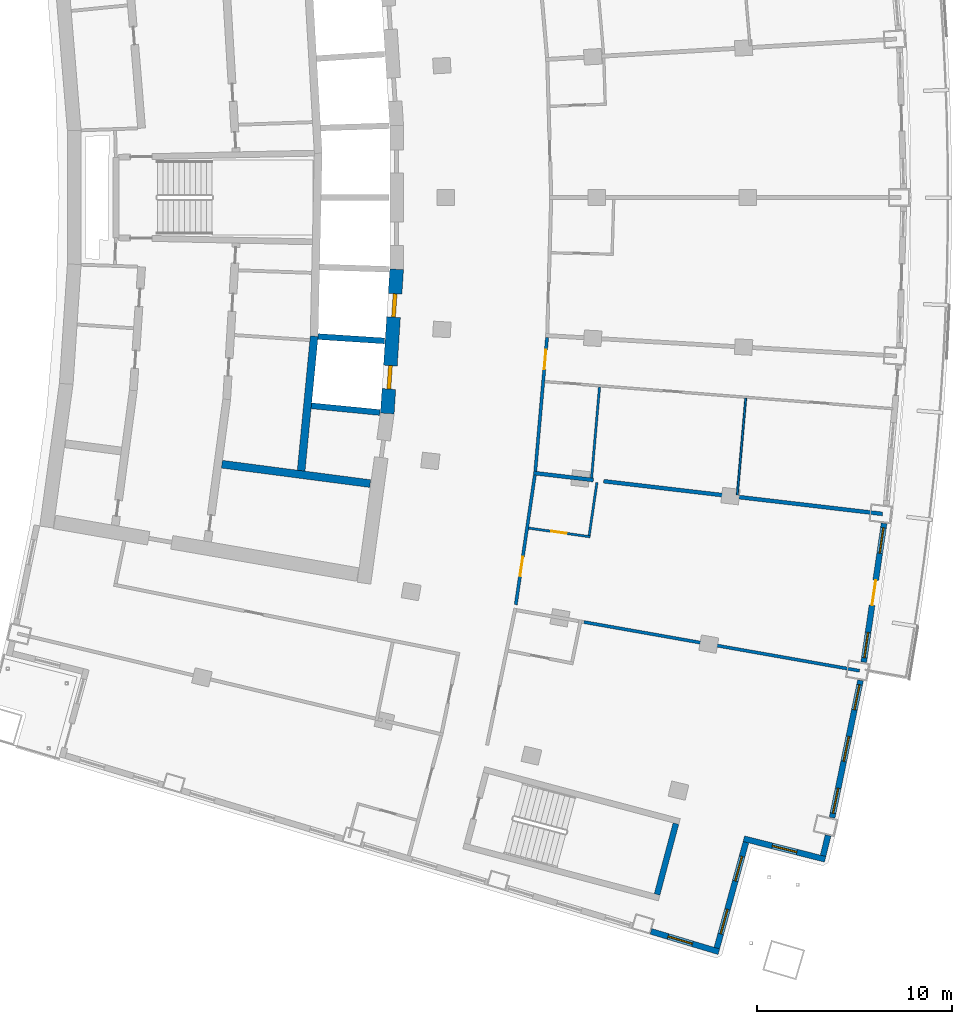
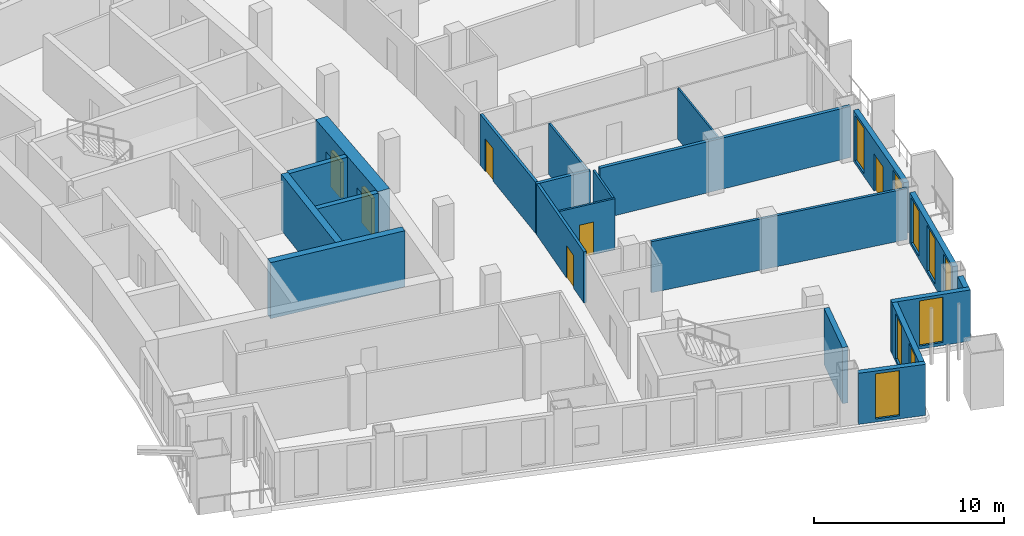
# One storey, part 11 of 19: 21 walls, 9 windows, 6 doors, 15 openings.
"""IFC4 building model written with IfcOpenShell, lengths in metres."""

import ifcopenshell
import ifcopenshell.guid

model = None  # the IFC model being written
_history = None  # IfcOwnerHistory: only IFC2X3 demands one
_inside = {}  # id of a spatial element -> (the spatial element, [elements in it])
_under = {}  # id of a project, library or spatial element -> (it, [spatial elements below it])
_declared = {}  # id of a project -> (the project, [libraries it declares])
_typed = {}  # id of a type object -> (the type object, [elements of that type])
_made_of = {}  # id of a material, layer set ... -> (it, [elements and type objects made of it])


def new_model(schema):
    """Start an empty IFC model of exactly this schema.

    Asked for "IFC4X3", IfcOpenShell would pick the latest addendum, in which some entities
    have other attributes; the version numbers below select the first issue.
    IFC2X3 requires an IfcOwnerHistory on every rooted entity: one is made here for all.
    """
    global model, _history
    if schema == "IFC4X3":
        model = ifcopenshell.file(schema_version=(4, 3, 0, 0))
    else:
        model = ifcopenshell.file(schema=schema)
    _inside.clear()
    _under.clear()
    _declared.clear()
    _typed.clear()
    _made_of.clear()
    _history = None
    if model.schema == "IFC2X3":
        org = make("IfcOrganization", Name="unknown")
        user = make(
            "IfcPersonAndOrganization",
            ThePerson=make("IfcPerson", FamilyName="unknown"),
            TheOrganization=org,
        )
        app = make(
            "IfcApplication",
            ApplicationDeveloper=org,
            Version="unknown",
            ApplicationFullName="unknown",
            ApplicationIdentifier="unknown",
        )
        _history = make(
            "IfcOwnerHistory",
            OwningUser=user,
            OwningApplication=app,
            ChangeAction="ADDED",
            CreationDate=0,
        )
    return model


def make(cls, **values):
    """One entity of the class cls with the attributes given. An attribute that is None is left unset."""
    return model.create_entity(
        cls, **{name: value for name, value in values.items() if value is not None}
    )


def rooted(cls, **values):
    """An entity with a GlobalId (a new one), such as an element, a storey or a relation."""
    return make(cls, GlobalId=ifcopenshell.guid.new(), OwnerHistory=_history, **values)


def si_unit(unit_type, name, prefix=None):
    """IfcSIUnit, for example si_unit("LENGTHUNIT", "METRE", prefix="MILLI")."""
    return make("IfcSIUnit", UnitType=unit_type, Prefix=prefix, Name=name)


def assignment(units):
    """IfcUnitAssignment: the units of a project."""
    return None if units is None else make("IfcUnitAssignment", Units=units)


def point(xyz):
    """IfcCartesianPoint."""
    return None if xyz is None else make("IfcCartesianPoint", Coordinates=xyz)


def direction(xyz):
    """IfcDirection."""
    return None if xyz is None else make("IfcDirection", DirectionRatios=xyz)


def frame(location, z_axis=None, x_axis=None):
    """IfcAxis2Placement3D, a coordinate frame: its origin and axes. An axis left out is left unset."""
    return make(
        "IfcAxis2Placement3D",
        Location=point(location),
        Axis=direction(z_axis),
        RefDirection=direction(x_axis),
    )


def frame_2d(location, x_axis=None):
    """IfcAxis2Placement2D, a coordinate frame in the plane: its origin and x axis."""
    return make(
        "IfcAxis2Placement2D", Location=point(location), RefDirection=direction(x_axis)
    )


def origin():
    """The frame at (0, 0, 0) with its axes left unset."""
    return frame((0.0, 0.0, 0.0))


def place(relative_to, where):
    """IfcLocalPlacement: puts the frame where relative to a parent placement (None: the world)."""
    return make(
        "IfcLocalPlacement", PlacementRelTo=relative_to, RelativePlacement=where
    )


def context(
    kind, dimensions, precision=None, world=None, true_north=None, identifier=None
):
    """IfcGeometricRepresentationContext, for example the 3D "Model" context."""
    return make(
        "IfcGeometricRepresentationContext",
        ContextIdentifier=identifier,
        ContextType=kind,
        CoordinateSpaceDimension=dimensions,
        Precision=precision,
        WorldCoordinateSystem=world,
        TrueNorth=true_north,
    )


def subcontext(parent, identifier, kind, view, scale=None):
    """IfcGeometricRepresentationSubContext, for example "Body" below "Model"."""
    return make(
        "IfcGeometricRepresentationSubContext",
        ContextIdentifier=identifier,
        ContextType=kind,
        ParentContext=parent,
        TargetScale=scale,
        TargetView=view,
    )


def project(units=None, contexts=None):
    """IfcProject with its units and contexts."""
    return rooted(
        "IfcProject",
        Name="project",
        RepresentationContexts=contexts,
        UnitsInContext=assignment(units),
    )


def spatial(cls, under=None, at=None, **own):
    """A site, building, storey or space (cls), placed at a placement, below another one or the project."""
    s = rooted(cls, ObjectPlacement=at, **own)
    if under is not None:
        _under.setdefault(under.id(), (under, []))[1].append(s)
    return s


def profile(cls, at=None, kind="AREA", **sizes):
    """A parametric profile (cls). Its sizes go by their IFC names, for example OverallWidth=200.0."""
    return make(cls, ProfileType=kind, Position=at, **sizes)


def rectangle(**sizes):
    """IfcRectangleProfileDef."""
    return profile("IfcRectangleProfileDef", **sizes)


def extrude(swept, where, along, depth):
    """IfcExtrudedAreaSolid: the profile swept, set in the frame where, extruded along a direction by depth."""
    return make(
        "IfcExtrudedAreaSolid",
        SweptArea=swept,
        Position=where,
        ExtrudedDirection=direction(along),
        Depth=depth,
    )


def shape(context_of_items, identifier, shape_type, items):
    """IfcShapeRepresentation: the items that make up one representation, for example the "Body"."""
    return make(
        "IfcShapeRepresentation",
        ContextOfItems=context_of_items,
        RepresentationIdentifier=identifier,
        RepresentationType=shape_type,
        Items=items,
    )


def material(Name=None, Category=None):
    """IfcMaterial."""
    return make("IfcMaterial", Name=Name, Category=Category)


def layer(
    of_material, thickness, ventilated=None, Name=None, Category=None, Priority=None
):
    """IfcMaterialLayer: one layer of a wall or slab, of a material (None: an air gap)."""
    return make(
        "IfcMaterialLayer",
        Material=of_material,
        LayerThickness=thickness,
        IsVentilated=ventilated,
        Name=Name,
        Category=Category,
        Priority=Priority,
    )


def layer_set(layers, Name=None):
    """IfcMaterialLayerSet."""
    return make("IfcMaterialLayerSet", MaterialLayers=layers, LayerSetName=Name)


def made_of(thing, what):
    """Note that an element or type object is made of a material, layer set ...; save() writes the relation."""
    if what is not None:
        _made_of.setdefault(what.id(), (what, []))[1].append(thing)
    return thing


def type_object(cls, material=None, **own):
    """A type object (cls), such as IfcWallType, which elements share."""
    return made_of(rooted(cls, **own), material)


def element(
    cls,
    number,
    at=None,
    inside=None,
    cuts=None,
    type_object=None,
    material=None,
    context=None,
    identifier="Body",
    shape_type=None,
    held_by="IfcProductDefinitionShape",
    body=None,
    shapes=None,
    **own,
):
    """One element of the class cls, such as IfcWall. Its Tag is "e" and its number.

    at: its placement. inside: the storey or other place that contains it. cuts: it is an
    opening in that element (IfcRelVoidsElement). A single representation is given by context,
    identifier, shape_type and body (its items); several are given by shapes. held_by: the class
    of the entity that holds the representations. save() writes the other relations.
    """
    e = rooted(cls, Tag="e%d" % number, ObjectPlacement=at, **own)
    if body is not None:
        shapes = [shape(context, identifier, shape_type, body)]
    if shapes is not None:
        e.Representation = make(held_by, Representations=shapes)
    if inside is not None:
        _inside.setdefault(inside.id(), (inside, []))[1].append(e)
    if cuts is not None:
        rooted(
            "IfcRelVoidsElement", RelatingBuildingElement=cuts, RelatedOpeningElement=e
        )
    if type_object is not None:
        _typed.setdefault(type_object.id(), (type_object, []))[1].append(e)
    return made_of(e, material)


def fill(opening, filler):
    """IfcRelFillsElement: the door or window that sits in an opening."""
    return rooted(
        "IfcRelFillsElement",
        RelatingOpeningElement=opening,
        RelatedBuildingElement=filler,
    )


def aggregate(whole, parts):
    """IfcRelAggregates: a whole, such as a stair, and the parts it consists of."""
    return rooted("IfcRelAggregates", RelatingObject=whole, RelatedObjects=parts)


def save(model, path):
    """Write the relations noted so far, then the file.

    IfcRelAggregates (storeys below a building ...), IfcRelContainedInSpatialStructure (elements
    in a storey), IfcRelDefinesByType, IfcRelAssociatesMaterial and IfcRelDeclares: one each for
    every whole, place, type object, material and project.
    """
    for whole, parts in _under.values():
        aggregate(whole, parts)
    for where, things in _inside.values():
        rooted(
            "IfcRelContainedInSpatialStructure",
            RelatedElements=things,
            RelatingStructure=where,
        )
    for kind, things in _typed.values():
        rooted("IfcRelDefinesByType", RelatedObjects=things, RelatingType=kind)
    for what, things in _made_of.values():
        rooted("IfcRelAssociatesMaterial", RelatedObjects=things, RelatingMaterial=what)
    for by, libraries in _declared.values():
        rooted("IfcRelDeclares", RelatingContext=by, RelatedDefinitions=libraries)
    model.write(path)


model = new_model("IFC4")

# Units and contexts
model_context = context("Model", 3, precision=1e-05, world=origin(), true_north=direction((0.0, 1.0)))
body_context = subcontext(model_context, "Body", "Model", "MODEL_VIEW")
ifc_project = project(units=[si_unit("LENGTHUNIT", "METRE"), si_unit("AREAUNIT", "SQUARE_METRE"), si_unit("VOLUMEUNIT", "CUBIC_METRE"), si_unit("PLANEANGLEUNIT", "RADIAN"), si_unit("MASSUNIT", "GRAM", prefix="KILO")], contexts=[model_context])

# Site, building, storey
site_placement = place(None, origin())
site = spatial("IfcSite", under=ifc_project, at=site_placement, CompositionType="ELEMENT")
building_placement = place(site_placement, origin())
building = spatial("IfcBuilding", under=site, at=building_placement, Name="Alderwake Tower", CompositionType="ELEMENT")
storey_placement = place(building_placement, frame((0.0, 0.0, 174.800048828125)))
storey = spatial("IfcBuildingStorey", under=building, at=storey_placement, Name="L43", CompositionType="ELEMENT", Elevation=174.800048828125)

# Wall, openings, doors
ifc_material_1 = material(Name="Concrete C70/85", Category="concrete")
ifc_layer_1 = layer(ifc_material_1, 0.699951171875)
ifc_layer_set_1 = layer_set([ifc_layer_1], Name="Core wall outer 700 C70-85")
wall_type_1 = type_object("IfcWallType", Name="Core wall outer 700 C70-85", PredefinedType="SHEAR", material=ifc_layer_set_1)
wall_1_placement = place(storey_placement, frame((32.810302734375, 49.9482421875, 0.0), z_axis=(0.0, 0.0, 1.0), x_axis=(0.065009096017, 0.99788467141, 0.0)))
wall_1 = element("IfcWall", 1, at=wall_1_placement, inside=storey, type_object=wall_type_1, Name="Core wall CW.011", PredefinedType="SHEAR", context=body_context, shape_type="SweptSolid", body=[
    extrude(rectangle(XDim=7.39453125, YDim=0.699951171875, at=frame_2d((3.697265625, 0.0))), origin(), (0.0, 0.0, 1.0), 3.599853515625),
])
opening_1_placement = place(wall_1_placement, frame((1.255126953125, 0.0, 0.0)))
opening_1 = element("IfcOpeningElement", 2, at=opening_1_placement, cuts=wall_1, Name="Opening LD-HP1", PredefinedType="OPENING", context=body_context, shape_type="SweptSolid", body=[
    extrude(rectangle(XDim=1.199951171875, YDim=2.300048828125, at=frame_2d((0.60009765625, 1.14990234375))), frame((0.0, 0.35986328125, 0.0), z_axis=(0.0, -1.0, 0.0), x_axis=(1.0, 0.0, 0.0)), (0.0, 0.0, 1.0), 0.719970703125),
])
opening_2_placement = place(wall_1_placement, frame((4.9404296875, 0.0, 0.0)))
opening_2 = element("IfcOpeningElement", 3, at=opening_2_placement, cuts=wall_1, Name="Opening LD-HP2", PredefinedType="OPENING", context=body_context, shape_type="SweptSolid", body=[
    extrude(rectangle(XDim=1.199951171875, YDim=2.300048828125, at=frame_2d((0.60009765625, 1.14990234375))), frame((0.0, 0.35986328125, 0.0), z_axis=(0.0, -1.0, 0.0), x_axis=(1.0, 0.0, 0.0)), (0.0, 0.0, 1.0), 0.719970703125),
])
ifc_material_2 = material(Name="Stainless steel sliding leaf", Category="steel")
door_type_1 = type_object("IfcDoorType", Name="Lift landing door 1200", OperationType="SLIDING_TO_LEFT", PredefinedType="DOOR", material=ifc_material_2)
door_1_placement = place(opening_1_placement, origin())
door_1 = element("IfcDoor", 4, at=door_1_placement, inside=storey, type_object=door_type_1, Name="Lift landing door HP1", OperationType="SLIDING_TO_LEFT", OverallHeight=2.300048828125, OverallWidth=1.199951171875, PredefinedType="DOOR", context=body_context, shape_type="SweptSolid", body=[
    extrude(rectangle(XDim=1.199951171875, YDim=2.300048828125, at=frame_2d((0.60009765625, 1.14990234375))), frame((0.0, 0.10009765625, 0.0), z_axis=(0.0, -1.0, 0.0), x_axis=(1.0, 0.0, 0.0)), (0.0, 0.0, 1.0), 0.199951171875),
])
fill(opening_1, door_1)
door_2_placement = place(opening_2_placement, origin())
door_2 = element("IfcDoor", 5, at=door_2_placement, inside=storey, type_object=door_type_1, Name="Lift landing door HP2", OperationType="SLIDING_TO_LEFT", OverallHeight=2.300048828125, OverallWidth=1.199951171875, PredefinedType="DOOR", context=body_context, shape_type="SweptSolid", body=[
    extrude(rectangle(XDim=1.199951171875, YDim=2.300048828125, at=frame_2d((0.60009765625, 1.14990234375))), frame((0.0, 0.10009765625, 0.0), z_axis=(0.0, -1.0, 0.0), x_axis=(1.0, 0.0, 0.0)), (0.0, 0.0, 1.0), 0.199951171875),
])
fill(opening_2, door_2)

# Walls
ifc_material_3 = material(Name="Concrete C70/85", Category="concrete")
ifc_layer_2 = layer(ifc_material_3, 0.300048828125)
ifc_layer_set_2 = layer_set([ifc_layer_2], Name="Core wall shaft 300 C70-85")
wall_type_2 = type_object("IfcWallType", Name="Core wall shaft 300 C70-85", PredefinedType="SHEAR", material=ifc_layer_set_2)
wall_2_placement = place(storey_placement, frame((28.92529296875, 50.341552734375, 0.0), z_axis=(0.0, 0.0, 1.0), x_axis=(0.995245524877, -0.097397870674, 0.0)))
element("IfcWall", 6, at=wall_2_placement, inside=storey, type_object=wall_type_2, Name="Core wall CW.064", PredefinedType="SHEAR", context=body_context, shape_type="SweptSolid", body=[
    extrude(rectangle(XDim=3.5244140625, YDim=0.300048828125, at=frame_2d((1.76220703125, 0.0))), origin(), (0.0, 0.0, 1.0), 3.599853515625),
])
wall_3_placement = place(storey_placement, frame((29.268798828125, 53.884521484375, 0.0), z_axis=(0.0, 0.0, 1.0), x_axis=(0.997884450261, -0.065012490553, 0.0)))
element("IfcWall", 7, at=wall_3_placement, inside=storey, type_object=wall_type_2, Name="Core wall CW.078", PredefinedType="SHEAR", context=body_context, shape_type="SweptSolid", body=[
    extrude(rectangle(XDim=3.409912109375, YDim=0.300048828125, at=frame_2d((1.705078125, 0.0))), origin(), (0.0, 0.0, 1.0), 3.599853515625),
])
ifc_material_4 = material(Name="Concrete C70/85", Category="concrete")
ifc_layer_3 = layer(ifc_material_4, 0.39990234375)
ifc_layer_set_3 = layer_set([ifc_layer_3], Name="Core wall spine 400 C70-85")
wall_type_3 = type_object("IfcWallType", Name="Core wall spine 400 C70-85", PredefinedType="SHEAR", material=ifc_layer_set_3)
wall_4_placement = place(storey_placement, frame((28.402587890625, 47.0234375, 0.0), z_axis=(0.0, 0.0, 1.0), x_axis=(0.096500230077, 0.995332962177, 0.0)))
element("IfcWall", 8, at=wall_4_placement, inside=storey, type_object=wall_type_3, Name="Core wall CW.005", PredefinedType="SHEAR", context=body_context, shape_type="SweptSolid", body=[
    extrude(rectangle(XDim=6.914306640625, YDim=0.39990234375, at=frame_2d((3.45703125, 0.0))), origin(), (0.0, 0.0, 1.0), 3.599853515625),
])
wall_5_placement = place(storey_placement, frame((24.347900390625, 47.35205078125, 0.0), z_axis=(0.0, 0.0, 1.0), x_axis=(0.991554795689, -0.129688423329, 0.0)))
element("IfcWall", 9, at=wall_5_placement, inside=storey, type_object=wall_type_3, Name="Core wall CW.069", PredefinedType="SHEAR", context=body_context, shape_type="SweptSolid", body=[
    extrude(rectangle(XDim=7.650634765625, YDim=0.39990234375, at=frame_2d((3.8251953125, 0.0))), origin(), (0.0, 0.0, 1.0), 3.599853515625),
])
ifc_material_5 = material(Name="Concrete C70/85", Category="concrete")
ifc_layer_4 = layer(ifc_material_5, 0.300048828125)
ifc_layer_set_4 = layer_set([ifc_layer_4], Name="Core wall stair enclosure 300 C70-85")
wall_type_4 = type_object("IfcWallType", Name="Core wall stair enclosure 300 C70-85", PredefinedType="SHEAR", material=ifc_layer_set_4)
wall_6_placement = place(storey_placement, frame((46.6162109375, 25.334716796875, 0.0), z_axis=(0.0, 0.0, 1.0), x_axis=(0.257366821694, 0.966313778796, 0.0)))
element("IfcWall", 10, at=wall_6_placement, inside=storey, type_object=wall_type_4, Name="Core wall CW.085", PredefinedType="SHEAR", context=body_context, shape_type="SweptSolid", body=[
    extrude(rectangle(XDim=3.749755859375, YDim=0.300048828125, at=frame_2d((1.875, 0.0))), origin(), (0.0, 0.0, 1.0), 3.599853515625),
])

# Wall, opening, door
ifc_material_6 = material(Name="Gypsum board on metal studs, rated")
ifc_layer_5 = layer(ifc_material_6, 0.159912109375)
ifc_layer_set_5 = layer_set([ifc_layer_5], Name="Corridor wall 160")
wall_type_5 = type_object("IfcWallType", Name="Corridor wall 160", PredefinedType="PARTITIONING", material=ifc_layer_set_5)
wall_7_placement = place(storey_placement, frame((40.3623046875, 46.7939453125, 0.0), z_axis=(0.0, 0.0, 1.0), x_axis=(-0.145513909196, -0.989356205939, 0.0)))
wall_7 = element("IfcWall", 11, at=wall_7_placement, inside=storey, type_object=wall_type_5, Name="WL/L43/W26", PredefinedType="PARTITIONING", context=body_context, shape_type="SweptSolid", body=[
    extrude(rectangle(XDim=6.704345703125, YDim=0.159912109375, at=frame_2d((3.35205078125, 0.0))), origin(), (0.0, 0.0, 1.0), 3.280029296875),
])
opening_3_placement = place(wall_7_placement, frame((4.216552734375, 0.0, 0.0)))
opening_3 = element("IfcOpeningElement", 12, at=opening_3_placement, cuts=wall_7, Name="Opening R12-U03.1", PredefinedType="OPENING", context=body_context, shape_type="SweptSolid", body=[
    extrude(rectangle(XDim=1.0, YDim=2.10009765625, at=frame_2d((0.5, 1.050048828125))), frame((0.0, 0.08984375, 0.0), z_axis=(0.0, -1.0, 0.0), x_axis=(1.0, 0.0, 0.0)), (0.0, 0.0, 1.0), 0.179931640625),
])
ifc_material_7 = material(Name="Solid timber leaf in steel frame", Category="steel")
door_type_2 = type_object("IfcDoorType", Name="Flat entrance door 1000 fire-rated", OperationType="SINGLE_SWING_LEFT", PredefinedType="DOOR", material=ifc_material_7)
door_3_placement = place(opening_3_placement, origin())
door_3 = element("IfcDoor", 13, at=door_3_placement, inside=storey, type_object=door_type_2, Name="DR/L43/U03.1", OperationType="SINGLE_SWING_LEFT", OverallHeight=2.10009765625, OverallWidth=1.0, PredefinedType="DOOR", context=body_context, shape_type="SweptSolid", body=[
    extrude(rectangle(XDim=1.0, YDim=2.10009765625, at=frame_2d((0.5, 1.050048828125))), frame((0.0, 0.02490234375, 0.0), z_axis=(0.0, -1.0, 0.0), x_axis=(1.0, 0.0, 0.0)), (0.0, 0.0, 1.0), 0.050048828125),
])
fill(opening_3, door_3)

wall_8_placement = place(storey_placement, frame((40.986328125, 53.834228515625, 0.0), z_axis=(0.0, 0.0, 1.0), x_axis=(-0.087448731147, -0.996169021512, 0.0)))
wall_8 = element("IfcWall", 14, at=wall_8_placement, inside=storey, type_object=wall_type_5, Name="WL/L43/W28", PredefinedType="PARTITIONING", context=body_context, shape_type="SweptSolid", body=[
    extrude(rectangle(XDim=6.867919921875, YDim=0.159912109375, at=frame_2d((3.43408203125, 0.0))), origin(), (0.0, 0.0, 1.0), 3.280029296875),
])
opening_4_placement = place(wall_8_placement, frame((0.628173828125, 0.0, 0.0)))
opening_4 = element("IfcOpeningElement", 15, at=opening_4_placement, cuts=wall_8, Name="Opening R12-U04.2", PredefinedType="OPENING", context=body_context, shape_type="SweptSolid", body=[
    extrude(rectangle(XDim=1.0, YDim=2.10009765625, at=frame_2d((0.5, 1.050048828125))), frame((0.0, 0.08984375, 0.0), z_axis=(0.0, -1.0, 0.0), x_axis=(1.0, 0.0, 0.0)), (0.0, 0.0, 1.0), 0.179931640625),
])
door_4_placement = place(opening_4_placement, origin())
door_4 = element("IfcDoor", 16, at=door_4_placement, inside=storey, type_object=door_type_2, Name="DR/L43/U04.2", OperationType="SINGLE_SWING_LEFT", OverallHeight=2.10009765625, OverallWidth=1.0, PredefinedType="DOOR", context=body_context, shape_type="SweptSolid", body=[
    extrude(rectangle(XDim=1.0, YDim=2.10009765625, at=frame_2d((0.5, 1.050048828125))), frame((0.0, 0.02490234375, 0.0), z_axis=(0.0, -1.0, 0.0), x_axis=(1.0, 0.0, 0.0)), (0.0, 0.0, 1.0), 0.050048828125),
])
fill(opening_4, door_4)

# Walls
wall_9_placement = place(storey_placement, frame((56.97607421875, 36.782958984375, 0.0), z_axis=(0.0, 0.0, 1.0), x_axis=(-0.984749571154, 0.173977820748, 0.0)))
element("IfcWall", 17, at=wall_9_placement, inside=storey, type_object=wall_type_5, Name="WL/L43/W35", PredefinedType="PARTITIONING", context=body_context, shape_type="SweptSolid", body=[
    extrude(rectangle(XDim=14.326171875, YDim=0.159912109375, at=frame_2d((7.1630859375, 0.0))), origin(), (0.0, 0.0, 1.0), 3.280029296875),
])
ifc_material_8 = material(Name="Precast concrete C50/60 spandrel panel", Category="concrete")
ifc_layer_6 = layer(ifc_material_8, 0.300048828125)
ifc_layer_set_6 = layer_set([ifc_layer_6], Name="External wall EW1 Precast concrete C50/60 spandrel")
wall_type_6 = type_object("IfcWallType", Name="External wall EW1 Precast concrete C50/60 spandrel", PredefinedType="SOLIDWALL", material=ifc_layer_set_6)
wall_10_placement = place(storey_placement, frame((55.11181640625, 27.31591796875, 0.0), z_axis=(0.0, 0.0, 1.0), x_axis=(0.238310475887, 0.971189022324, 0.0)))
element("IfcWall", 18, at=wall_10_placement, inside=storey, type_object=wall_type_6, Name="External wall 11", PredefinedType="SOLIDWALL", context=body_context, shape_type="SweptSolid", body=[
    extrude(rectangle(XDim=1.07470703125, YDim=0.300048828125, at=frame_2d((0.537353515625, 0.0))), origin(), (0.0, 0.0, 1.0), 3.280029296875),
])

# Wall, openings, windows
wall_11_placement = place(storey_placement, frame((55.572509765625, 29.265625, 0.0), z_axis=(0.0, 0.0, 1.0), x_axis=(0.202713609839, 0.979238067268, 0.0)))
wall_11 = element("IfcWall", 19, at=wall_11_placement, inside=storey, type_object=wall_type_6, Name="External wall 12", PredefinedType="SOLIDWALL", context=body_context, shape_type="SweptSolid", body=[
    extrude(rectangle(XDim=7.175537109375, YDim=0.300048828125, at=frame_2d((3.587890625, 0.0))), origin(), (0.0, 0.0, 1.0), 3.280029296875),
])
opening_5_placement = place(wall_11_placement, frame((0.2353515625, 0.0, 0.199951171875)))
opening_5 = element("IfcOpeningElement", 20, at=opening_5_placement, cuts=wall_11, Name="Opening W1", PredefinedType="OPENING", context=body_context, shape_type="SweptSolid", body=[
    extrude(rectangle(XDim=1.300048828125, YDim=2.89990234375, at=frame_2d((0.64990234375, 1.449951171875))), frame((0.0, 0.159912109375, 0.0), z_axis=(0.0, -1.0, 0.0), x_axis=(1.0, 0.0, 0.0)), (0.0, 0.0, 1.0), 0.320068359375),
])
opening_6_placement = place(wall_11_placement, frame((2.937744140625, 0.0, 0.199951171875)))
opening_6 = element("IfcOpeningElement", 21, at=opening_6_placement, cuts=wall_11, Name="Opening W1", PredefinedType="OPENING", context=body_context, shape_type="SweptSolid", body=[
    extrude(rectangle(XDim=1.300048828125, YDim=2.89990234375, at=frame_2d((0.64990234375, 1.449951171875))), frame((0.0, 0.159912109375, 0.0), z_axis=(0.0, -1.0, 0.0), x_axis=(1.0, 0.0, 0.0)), (0.0, 0.0, 1.0), 0.320068359375),
])
opening_7_placement = place(wall_11_placement, frame((5.64013671875, 0.0, 0.199951171875)))
opening_7 = element("IfcOpeningElement", 22, at=opening_7_placement, cuts=wall_11, Name="Opening W1", PredefinedType="OPENING", context=body_context, shape_type="SweptSolid", body=[
    extrude(rectangle(XDim=1.300048828125, YDim=2.89990234375, at=frame_2d((0.64990234375, 1.449951171875))), frame((0.0, 0.159912109375, 0.0), z_axis=(0.0, -1.0, 0.0), x_axis=(1.0, 0.0, 0.0)), (0.0, 0.0, 1.0), 0.320068359375),
])
ifc_material_9 = material(Name="Bronze tinted glass in aluminium frame", Category="aluminium")
window_type = type_object("IfcWindowType", Name="Window W1 tall fixed and vent", PartitioningType="DOUBLE_PANEL_VERTICAL", PredefinedType="WINDOW", material=ifc_material_9)
window_1_placement = place(opening_5_placement, origin())
window_1 = element("IfcWindow", 23, at=window_1_placement, inside=storey, type_object=window_type, Name="Window W1 tall fixed and vent", OverallHeight=2.89990234375, OverallWidth=1.300048828125, PartitioningType="DOUBLE_PANEL_VERTICAL", PredefinedType="WINDOW", context=body_context, shape_type="SweptSolid", body=[
    extrude(rectangle(XDim=1.300048828125, YDim=2.89990234375, at=frame_2d((0.64990234375, 1.449951171875))), frame((0.0, 0.030029296875, 0.0), z_axis=(0.0, -1.0, 0.0), x_axis=(1.0, 0.0, 0.0)), (0.0, 0.0, 1.0), 0.06005859375),
])
fill(opening_5, window_1)
window_2_placement = place(opening_6_placement, origin())
window_2 = element("IfcWindow", 24, at=window_2_placement, inside=storey, type_object=window_type, Name="Window W1 tall fixed and vent", OverallHeight=2.89990234375, OverallWidth=1.300048828125, PartitioningType="DOUBLE_PANEL_VERTICAL", PredefinedType="WINDOW", context=body_context, shape_type="SweptSolid", body=[
    extrude(rectangle(XDim=1.300048828125, YDim=2.89990234375, at=frame_2d((0.64990234375, 1.449951171875))), frame((0.0, 0.030029296875, 0.0), z_axis=(0.0, -1.0, 0.0), x_axis=(1.0, 0.0, 0.0)), (0.0, 0.0, 1.0), 0.06005859375),
])
fill(opening_6, window_2)
window_3_placement = place(opening_7_placement, origin())
window_3 = element("IfcWindow", 25, at=window_3_placement, inside=storey, type_object=window_type, Name="Window W1 tall fixed and vent", OverallHeight=2.89990234375, OverallWidth=1.300048828125, PartitioningType="DOUBLE_PANEL_VERTICAL", PredefinedType="WINDOW", context=body_context, shape_type="SweptSolid", body=[
    extrude(rectangle(XDim=1.300048828125, YDim=2.89990234375, at=frame_2d((0.64990234375, 1.449951171875))), frame((0.0, 0.030029296875, 0.0), z_axis=(0.0, -1.0, 0.0), x_axis=(1.0, 0.0, 0.0)), (0.0, 0.0, 1.0), 0.06005859375),
])
fill(opening_7, window_3)

# Wall, openings, door, windows
wall_12_placement = place(storey_placement, frame((57.19189453125, 37.2236328125, 0.0), z_axis=(0.0, 0.0, 1.0), x_axis=(0.145316694365, 0.989385192096, 0.0)))
wall_12 = element("IfcWall", 26, at=wall_12_placement, inside=storey, type_object=wall_type_6, Name="External wall 13", PredefinedType="SOLIDWALL", context=body_context, shape_type="SweptSolid", body=[
    extrude(rectangle(XDim=7.175537109375, YDim=0.300048828125, at=frame_2d((3.587890625, 0.0))), origin(), (0.0, 0.0, 1.0), 3.280029296875),
])
opening_8_placement = place(wall_12_placement, frame((0.2353515625, 0.0, 0.199951171875)))
opening_8 = element("IfcOpeningElement", 27, at=opening_8_placement, cuts=wall_12, Name="Opening W1", PredefinedType="OPENING", context=body_context, shape_type="SweptSolid", body=[
    extrude(rectangle(XDim=1.300048828125, YDim=2.89990234375, at=frame_2d((0.64990234375, 1.449951171875))), frame((0.0, 0.159912109375, 0.0), z_axis=(0.0, -1.0, 0.0), x_axis=(1.0, 0.0, 0.0)), (0.0, 0.0, 1.0), 0.320068359375),
])
opening_9_placement = place(wall_12_placement, frame((2.937744140625, 0.0, 0.0)))
opening_9 = element("IfcOpeningElement", 28, at=opening_9_placement, cuts=wall_12, Name="Opening D02", PredefinedType="OPENING", context=body_context, shape_type="SweptSolid", body=[
    extrude(rectangle(XDim=1.300048828125, YDim=2.39990234375, at=frame_2d((0.64990234375, 1.199951171875))), frame((0.0, 0.159912109375, 0.0), z_axis=(0.0, -1.0, 0.0), x_axis=(1.0, 0.0, 0.0)), (0.0, 0.0, 1.0), 0.320068359375),
])
opening_10_placement = place(wall_12_placement, frame((5.64013671875, 0.0, 0.199951171875)))
opening_10 = element("IfcOpeningElement", 29, at=opening_10_placement, cuts=wall_12, Name="Opening W1", PredefinedType="OPENING", context=body_context, shape_type="SweptSolid", body=[
    extrude(rectangle(XDim=1.300048828125, YDim=2.89990234375, at=frame_2d((0.64990234375, 1.449951171875))), frame((0.0, 0.159912109375, 0.0), z_axis=(0.0, -1.0, 0.0), x_axis=(1.0, 0.0, 0.0)), (0.0, 0.0, 1.0), 0.320068359375),
])
ifc_material_10 = material(Name="Bronze tinted glass in aluminium frame", Category="aluminium")
door_type_3 = type_object("IfcDoorType", Name="Balcony door BD sliding", OperationType="SLIDING_TO_LEFT", PredefinedType="DOOR", material=ifc_material_10)
door_5_placement = place(opening_9_placement, origin())
door_5 = element("IfcDoor", 30, at=door_5_placement, inside=storey, type_object=door_type_3, Name="Door D02", OperationType="SLIDING_TO_LEFT", OverallHeight=2.39990234375, OverallWidth=1.300048828125, PredefinedType="DOOR", context=body_context, shape_type="SweptSolid", body=[
    extrude(rectangle(XDim=1.300048828125, YDim=2.39990234375, at=frame_2d((0.64990234375, 1.199951171875))), frame((0.0, 0.02490234375, 0.0), z_axis=(0.0, -1.0, 0.0), x_axis=(1.0, 0.0, 0.0)), (0.0, 0.0, 1.0), 0.050048828125),
])
fill(opening_9, door_5)
window_4_placement = place(opening_8_placement, origin())
window_4 = element("IfcWindow", 31, at=window_4_placement, inside=storey, type_object=window_type, Name="Window W1 tall fixed and vent", OverallHeight=2.89990234375, OverallWidth=1.300048828125, PartitioningType="DOUBLE_PANEL_VERTICAL", PredefinedType="WINDOW", context=body_context, shape_type="SweptSolid", body=[
    extrude(rectangle(XDim=1.300048828125, YDim=2.89990234375, at=frame_2d((0.64990234375, 1.449951171875))), frame((0.0, 0.030029296875, 0.0), z_axis=(0.0, -1.0, 0.0), x_axis=(1.0, 0.0, 0.0)), (0.0, 0.0, 1.0), 0.06005859375),
])
fill(opening_8, window_4)
window_5_placement = place(opening_10_placement, origin())
window_5 = element("IfcWindow", 32, at=window_5_placement, inside=storey, type_object=window_type, Name="Window W1 tall fixed and vent", OverallHeight=2.89990234375, OverallWidth=1.300048828125, PartitioningType="DOUBLE_PANEL_VERTICAL", PredefinedType="WINDOW", context=body_context, shape_type="SweptSolid", body=[
    extrude(rectangle(XDim=1.300048828125, YDim=2.89990234375, at=frame_2d((0.64990234375, 1.449951171875))), frame((0.0, 0.030029296875, 0.0), z_axis=(0.0, -1.0, 0.0), x_axis=(1.0, 0.0, 0.0)), (0.0, 0.0, 1.0), 0.06005859375),
])
fill(opening_10, window_5)

# Wall, opening, window
ifc_material_11 = material(Name="Bronze metal cladding on lightweight framing")
ifc_layer_7 = layer(ifc_material_11, 0.300048828125)
ifc_layer_set_7 = layer_set([ifc_layer_7], Name="External wall EW2 bronze metal cladding")
wall_type_7 = type_object("IfcWallType", Name="External wall EW2 bronze metal cladding", PredefinedType="SOLIDWALL", material=ifc_layer_set_7)
wall_13_placement = place(storey_placement, frame((46.302734375, 23.44580078125, 0.0), z_axis=(0.0, 0.0, 1.0), x_axis=(0.957759608744, -0.287570046873, 0.0)))
wall_13 = element("IfcWall", 33, at=wall_13_placement, inside=storey, type_object=wall_type_7, Name="External wall 8", PredefinedType="SOLIDWALL", context=body_context, shape_type="SweptSolid", body=[
    extrude(rectangle(XDim=3.62939453125, YDim=0.300048828125, at=frame_2d((1.814697265625, 0.0))), origin(), (0.0, 0.0, 1.0), 3.280029296875),
])
opening_11_placement = place(wall_13_placement, frame((0.913818359375, 0.0, 0.199951171875)))
opening_11 = element("IfcOpeningElement", 34, at=opening_11_placement, cuts=wall_13, Name="Opening W1", PredefinedType="OPENING", context=body_context, shape_type="SweptSolid", body=[
    extrude(rectangle(XDim=1.300048828125, YDim=2.89990234375, at=frame_2d((0.64990234375, 1.449951171875))), frame((0.0, 0.159912109375, 0.0), z_axis=(0.0, -1.0, 0.0), x_axis=(1.0, 0.0, 0.0)), (0.0, 0.0, 1.0), 0.320068359375),
])
window_6_placement = place(opening_11_placement, origin())
window_6 = element("IfcWindow", 35, at=window_6_placement, inside=storey, type_object=window_type, Name="Window W1 tall fixed and vent", OverallHeight=2.89990234375, OverallWidth=1.300048828125, PartitioningType="DOUBLE_PANEL_VERTICAL", PredefinedType="WINDOW", context=body_context, shape_type="SweptSolid", body=[
    extrude(rectangle(XDim=1.300048828125, YDim=2.89990234375, at=frame_2d((0.64990234375, 1.449951171875))), frame((0.0, 0.030029296875, 0.0), z_axis=(0.0, -1.0, 0.0), x_axis=(1.0, 0.0, 0.0)), (0.0, 0.0, 1.0), 0.06005859375),
])
fill(opening_11, window_6)

# Wall, openings, windows
wall_14_placement = place(storey_placement, frame((49.675048828125, 22.58984375, 0.0), z_axis=(0.0, 0.0, 1.0), x_axis=(0.265102938601, 0.96422011592, 0.0)))
wall_14 = element("IfcWall", 36, at=wall_14_placement, inside=storey, type_object=wall_type_7, Name="External wall 9", PredefinedType="SOLIDWALL", context=body_context, shape_type="SweptSolid", body=[
    extrude(rectangle(XDim=5.61669921875, YDim=0.300048828125, at=frame_2d((2.808349609375, 0.0))), origin(), (0.0, 0.0, 1.0), 3.280029296875),
])
opening_12_placement = place(wall_14_placement, frame((0.754150390625, 0.0, 0.199951171875)))
opening_12 = element("IfcOpeningElement", 37, at=opening_12_placement, cuts=wall_14, Name="Opening W1", PredefinedType="OPENING", context=body_context, shape_type="SweptSolid", body=[
    extrude(rectangle(XDim=1.300048828125, YDim=2.89990234375, at=frame_2d((0.64990234375, 1.449951171875))), frame((0.0, 0.159912109375, 0.0), z_axis=(0.0, -1.0, 0.0), x_axis=(1.0, 0.0, 0.0)), (0.0, 0.0, 1.0), 0.320068359375),
])
opening_13_placement = place(wall_14_placement, frame((3.5625, 0.0, 0.199951171875)))
opening_13 = element("IfcOpeningElement", 38, at=opening_13_placement, cuts=wall_14, Name="Opening W1", PredefinedType="OPENING", context=body_context, shape_type="SweptSolid", body=[
    extrude(rectangle(XDim=1.300048828125, YDim=2.89990234375, at=frame_2d((0.64990234375, 1.449951171875))), frame((0.0, 0.159912109375, 0.0), z_axis=(0.0, -1.0, 0.0), x_axis=(1.0, 0.0, 0.0)), (0.0, 0.0, 1.0), 0.320068359375),
])
window_7_placement = place(opening_12_placement, origin())
window_7 = element("IfcWindow", 39, at=window_7_placement, inside=storey, type_object=window_type, Name="Window W1 tall fixed and vent", OverallHeight=2.89990234375, OverallWidth=1.300048828125, PartitioningType="DOUBLE_PANEL_VERTICAL", PredefinedType="WINDOW", context=body_context, shape_type="SweptSolid", body=[
    extrude(rectangle(XDim=1.300048828125, YDim=2.89990234375, at=frame_2d((0.64990234375, 1.449951171875))), frame((0.0, 0.030029296875, 0.0), z_axis=(0.0, -1.0, 0.0), x_axis=(1.0, 0.0, 0.0)), (0.0, 0.0, 1.0), 0.06005859375),
])
fill(opening_12, window_7)
window_8_placement = place(opening_13_placement, origin())
window_8 = element("IfcWindow", 40, at=window_8_placement, inside=storey, type_object=window_type, Name="Window W1 tall fixed and vent", OverallHeight=2.89990234375, OverallWidth=1.300048828125, PartitioningType="DOUBLE_PANEL_VERTICAL", PredefinedType="WINDOW", context=body_context, shape_type="SweptSolid", body=[
    extrude(rectangle(XDim=1.300048828125, YDim=2.89990234375, at=frame_2d((0.64990234375, 1.449951171875))), frame((0.0, 0.030029296875, 0.0), z_axis=(0.0, -1.0, 0.0), x_axis=(1.0, 0.0, 0.0)), (0.0, 0.0, 1.0), 0.06005859375),
])
fill(opening_13, window_8)

# Wall, opening, window
wall_15_placement = place(storey_placement, frame((51.058349609375, 28.18701171875, 0.0), z_axis=(0.0, 0.0, 1.0), x_axis=(0.969429385377, -0.245370468408, 0.0)))
wall_15 = element("IfcWall", 41, at=wall_15_placement, inside=storey, type_object=wall_type_7, Name="External wall 10", PredefinedType="SOLIDWALL", context=body_context, shape_type="SweptSolid", body=[
    extrude(rectangle(XDim=4.29443359375, YDim=0.300048828125, at=frame_2d((2.147216796875, 0.0))), origin(), (0.0, 0.0, 1.0), 3.280029296875),
])
opening_14_placement = place(wall_15_placement, frame((1.4970703125, 0.0, 0.199951171875)))
opening_14 = element("IfcOpeningElement", 42, at=opening_14_placement, cuts=wall_15, Name="Opening W1", PredefinedType="OPENING", context=body_context, shape_type="SweptSolid", body=[
    extrude(rectangle(XDim=1.300048828125, YDim=2.89990234375, at=frame_2d((0.64990234375, 1.449951171875))), frame((0.0, 0.159912109375, 0.0), z_axis=(0.0, -1.0, 0.0), x_axis=(1.0, 0.0, 0.0)), (0.0, 0.0, 1.0), 0.320068359375),
])
window_9_placement = place(opening_14_placement, origin())
window_9 = element("IfcWindow", 43, at=window_9_placement, inside=storey, type_object=window_type, Name="Window W1 tall fixed and vent", OverallHeight=2.89990234375, OverallWidth=1.300048828125, PartitioningType="DOUBLE_PANEL_VERTICAL", PredefinedType="WINDOW", context=body_context, shape_type="SweptSolid", body=[
    extrude(rectangle(XDim=1.300048828125, YDim=2.89990234375, at=frame_2d((0.64990234375, 1.449951171875))), frame((0.0, 0.030029296875, 0.0), z_axis=(0.0, -1.0, 0.0), x_axis=(1.0, 0.0, 0.0)), (0.0, 0.0, 1.0), 0.06005859375),
])
fill(opening_14, window_9)

# Walls
ifc_material_12 = material(Name="Dense block masonry wall", Category="masonry")
ifc_layer_8 = layer(ifc_material_12, 0.199951171875)
ifc_layer_set_8 = layer_set([ifc_layer_8], Name="Party wall 200")
wall_type_8 = type_object("IfcWallType", Name="Party wall 200", PredefinedType="SOLIDWALL", material=ifc_layer_set_8)
wall_16_placement = place(storey_placement, frame((43.356201171875, 46.542236328125, 0.0), z_axis=(0.0, 0.0, 1.0), x_axis=(-0.993140319253, 0.116928637524, 0.0)))
element("IfcWall", 44, at=wall_16_placement, inside=storey, type_object=wall_type_8, Name="WL/L43/W01", PredefinedType="SOLIDWALL", context=body_context, shape_type="SweptSolid", body=[
    extrude(rectangle(XDim=3.079833984375, YDim=0.199951171875, at=frame_2d((1.5400390625, 0.0))), origin(), (0.0, 0.0, 1.0), 3.280029296875),
])
wall_17_placement = place(storey_placement, frame((58.155029296875, 44.80810546875, 0.0), z_axis=(0.0, 0.0, 1.0), x_axis=(-0.993188942444, 0.11651491152, 0.0)))
element("IfcWall", 45, at=wall_17_placement, inside=storey, type_object=wall_type_8, Name="WL/L43/W04", PredefinedType="SOLIDWALL", context=body_context, shape_type="SweptSolid", body=[
    extrude(rectangle(XDim=14.367919921875, YDim=0.199951171875, at=frame_2d((7.18408203125, 0.0))), origin(), (0.0, 0.0, 1.0), 3.280029296875),
])
ifc_material_13 = material(Name="Gypsum board on metal studs")
ifc_layer_9 = layer(ifc_material_13, 0.10009765625)
ifc_layer_set_9 = layer_set([ifc_layer_9], Name="Unit partition 100")
wall_type_9 = type_object("IfcWallType", Name="Unit partition 100", PredefinedType="PARTITIONING", material=ifc_layer_set_9)
wall_18_placement = place(storey_placement, frame((50.720703125, 45.78076171875, 0.0), z_axis=(0.0, 0.0, 1.0), x_axis=(0.087352937881, 0.996177426086, 0.0)))
element("IfcWall", 46, at=wall_18_placement, inside=storey, type_object=wall_type_9, Name="WL/L43/W54", PredefinedType="PARTITIONING", context=body_context, shape_type="SweptSolid", body=[
    extrude(rectangle(XDim=4.966552734375, YDim=0.10009765625, at=frame_2d((2.4833984375, 0.0))), origin(), (0.0, 0.0, 1.0), 3.280029296875),
])

# Wall, opening, door
ifc_material_14 = material(Name="Moisture resistant gypsum board on metal studs")
ifc_layer_10 = layer(ifc_material_14, 0.1201171875)
ifc_layer_set_10 = layer_set([ifc_layer_10], Name="Wet room partition 120")
wall_type_10 = type_object("IfcWallType", Name="Wet room partition 120", PredefinedType="PARTITIONING", material=ifc_layer_set_10)
wall_19_placement = place(storey_placement, frame((40.045166015625, 44.082763671875, 0.0), z_axis=(0.0, 0.0, 1.0), x_axis=(0.990196758728, -0.139679558288, 0.0)))
wall_19 = element("IfcWall", 47, at=wall_19_placement, inside=storey, type_object=wall_type_10, Name="WL/L43/W41", PredefinedType="PARTITIONING", context=body_context, shape_type="SweptSolid", body=[
    extrude(rectangle(XDim=3.179443359375, YDim=0.1201171875, at=frame_2d((1.58984375, 0.0))), origin(), (0.0, 0.0, 1.0), 3.280029296875),
])
opening_15_placement = place(wall_19_placement, frame((1.158935546875, 0.0, 0.0)))
opening_15 = element("IfcOpeningElement", 48, at=opening_15_placement, cuts=wall_19, Name="Opening R12-U03.2", PredefinedType="OPENING", context=body_context, shape_type="SweptSolid", body=[
    extrude(rectangle(XDim=0.800048828125, YDim=2.10009765625, at=frame_2d((0.39990234375, 1.050048828125))), frame((0.0, 0.070068359375, 0.0), z_axis=(0.0, -1.0, 0.0), x_axis=(1.0, 0.0, 0.0)), (0.0, 0.0, 1.0), 0.14013671875),
])
ifc_material_15 = material(Name="Painted timber leaf", Category="wood")
door_type_4 = type_object("IfcDoorType", Name="Bathroom door 800", OperationType="SINGLE_SWING_LEFT", PredefinedType="DOOR", material=ifc_material_15)
door_6_placement = place(opening_15_placement, origin())
door_6 = element("IfcDoor", 49, at=door_6_placement, inside=storey, type_object=door_type_4, Name="DR/L43/U03.2", OperationType="SINGLE_SWING_LEFT", OverallHeight=2.10009765625, OverallWidth=0.800048828125, PredefinedType="DOOR", context=body_context, shape_type="SweptSolid", body=[
    extrude(rectangle(XDim=0.800048828125, YDim=2.10009765625, at=frame_2d((0.39990234375, 1.050048828125))), frame((0.0, 0.02490234375, 0.0), z_axis=(0.0, -1.0, 0.0), x_axis=(1.0, 0.0, 0.0)), (0.0, 0.0, 1.0), 0.050048828125),
])
fill(opening_15, door_6)

# Walls
wall_20_placement = place(storey_placement, frame((43.142578125, 43.706298828125, 0.0), z_axis=(0.0, 0.0, 1.0), x_axis=(0.144633503259, 0.989485295361, 0.0)))
element("IfcWall", 50, at=wall_20_placement, inside=storey, type_object=wall_type_10, Name="WL/L43/W45", PredefinedType="PARTITIONING", context=body_context, shape_type="SweptSolid", body=[
    extrude(rectangle(XDim=2.74462890625, YDim=0.1201171875, at=frame_2d((1.372314453125, 0.0))), origin(), (0.0, 0.0, 1.0), 3.280029296875),
])
wall_21_placement = place(storey_placement, frame((43.265625, 46.65380859375, 0.0), z_axis=(0.0, 0.0, 1.0), x_axis=(0.087069112872, 0.996202273428, 0.0)))
element("IfcWall", 51, at=wall_21_placement, inside=storey, type_object=wall_type_10, Name="WL/L43/W47", PredefinedType="PARTITIONING", context=body_context, shape_type="SweptSolid", body=[
    extrude(rectangle(XDim=4.67431640625, YDim=0.1201171875, at=frame_2d((2.337158203125, 0.0))), origin(), (0.0, 0.0, 1.0), 3.280029296875),
])

save(model, "model.ifc")
